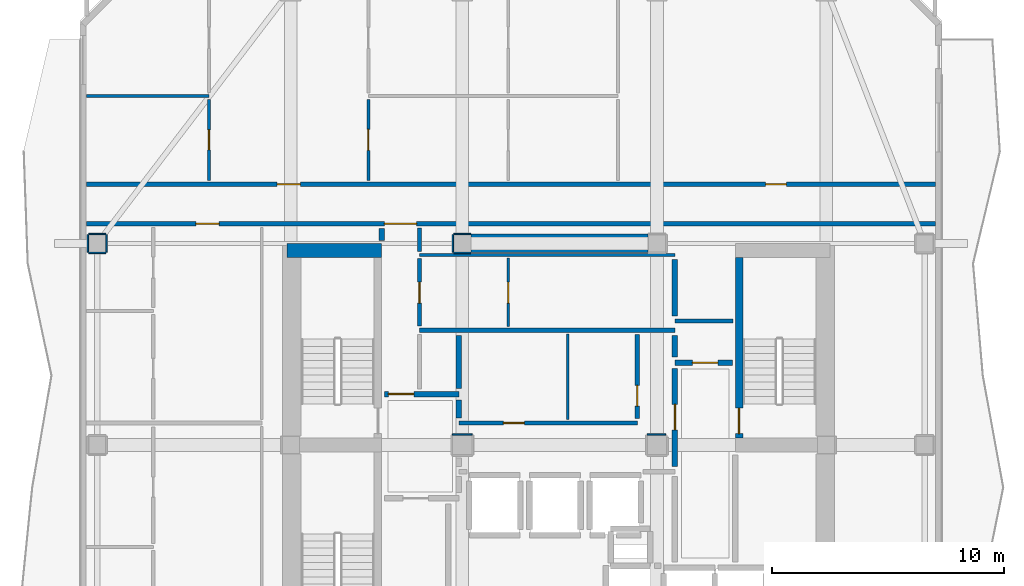
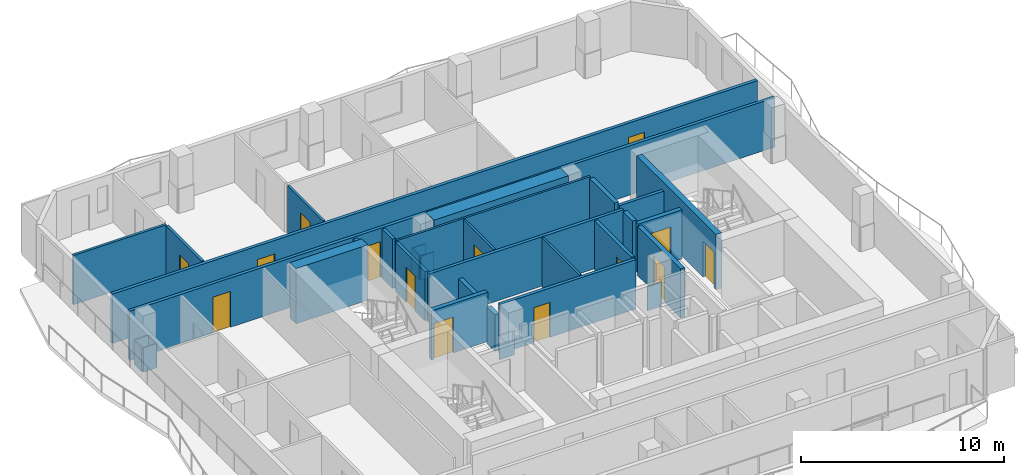
# One storey, part 4 of 10: 34 walls, 14 doors, 14 openings.
"""IFC4 building model written with IfcOpenShell, lengths in metres."""

from ifc_helpers import new_model, si_unit, direction, frame, frame_2d, origin, place, context, subcontext, project, spatial, rectangle, extrude, material, layer, layer_set, type_object, element, fill, save


model = new_model("IFC4")

# Units and contexts
model_context = context("Model", 3, precision=1e-05, world=origin(), true_north=direction((0.0, 1.0)))
body_context = subcontext(model_context, "Body", "Model", "MODEL_VIEW")
ifc_project = project(units=[si_unit("LENGTHUNIT", "METRE"), si_unit("AREAUNIT", "SQUARE_METRE"), si_unit("VOLUMEUNIT", "CUBIC_METRE"), si_unit("PLANEANGLEUNIT", "RADIAN"), si_unit("MASSUNIT", "GRAM", prefix="KILO")], contexts=[model_context])

# Site, building, storey
site_placement = place(None, origin())
site = spatial("IfcSite", under=ifc_project, at=site_placement, CompositionType="ELEMENT")
building_placement = place(site_placement, origin())
building = spatial("IfcBuilding", under=site, at=building_placement, Name="Solanera Arch Residences", CompositionType="ELEMENT")
storey_placement = place(building_placement, frame((0.0, 0.0, 254.52001953125)))
storey = spatial("IfcBuildingStorey", under=building, at=storey_placement, Name="L74", CompositionType="ELEMENT", Elevation=254.52001953125)

# Walls
ifc_material_1 = material(Name="Fire-Rated Gypsum Stud Partition", Category="gypsum")
ifc_layer_1 = layer(ifc_material_1, 0.06005859375)
ifc_layer_set_1 = layer_set([ifc_layer_1], Name="Fire-Rated Gypsum Stud Partition")
wall_type_1 = type_object("IfcWallType", Name="Column Acoustic Furring Wall 60", PredefinedType="PARTITIONING", material=ifc_layer_set_1)
for number, where, z_axis, x_axis, name in (
    (1, (20.425048828125, 38.992919921875, 0.0), (0.0, 0.0, 1.0), (1.0, 0.0, 0.0), "L74 Column Furring 3S"),
    (2, (20.425048828125, 39.806884765625, 0.0), (0.0, 0.0, 1.0), (1.0, 0.0, 0.0), "L74 Column Furring 3N"),
):
    element("IfcWall", number, at=place(storey_placement, frame(where, z_axis=z_axis, x_axis=x_axis)), inside=storey, type_object=wall_type_1, Name=name, PredefinedType="PARTITIONING", context=body_context, shape_type="SweptSolid", body=[
        extrude(rectangle(XDim=0.741943359375, YDim=0.06005859375, at=frame_2d((0.37109375, 0.0))), origin(), (0.0, 0.0, 1.0), 1.449951171875),
    ])
wall_1_placement = place(storey_placement, frame((20.39306640625, 39.02490234375, 0.0), z_axis=(0.0, 0.0, 1.0), x_axis=(0.0, 1.0, 0.0)))
element("IfcWall", 3, at=wall_1_placement, inside=storey, type_object=wall_type_1, Name="L74 Column Furring 3W", PredefinedType="PARTITIONING", context=body_context, shape_type="SweptSolid", body=[
    extrude(rectangle(XDim=0.75, YDim=0.06005859375, at=frame_2d((0.375, 0.0))), origin(), (0.0, 0.0, 1.0), 1.449951171875),
])
wall_2_placement = place(storey_placement, frame((20.375, 31.156982421875, 0.0), z_axis=(0.0, 0.0, 1.0), x_axis=(1.0, 0.0, 0.0)))
element("IfcWall", 4, at=wall_2_placement, inside=storey, type_object=wall_type_1, Name="L74 Column Furring 7N", PredefinedType="PARTITIONING", context=body_context, shape_type="SweptSolid", body=[
    extrude(rectangle(XDim=0.85009765625, YDim=0.06005859375, at=frame_2d((0.425048828125, 0.0))), origin(), (0.0, 0.0, 1.0), 1.449951171875),
])
wall_3_placement = place(storey_placement, frame((28.77490234375, 31.156982421875, 0.0), z_axis=(0.0, 0.0, 1.0), x_axis=(1.0, 0.0, 0.0)))
element("IfcWall", 5, at=wall_3_placement, inside=storey, type_object=wall_type_1, Name="L74 Column Furring 8N", PredefinedType="PARTITIONING", context=body_context, shape_type="SweptSolid", body=[
    extrude(rectangle(XDim=0.794189453125, YDim=0.06005859375, at=frame_2d((0.39697265625, 0.0))), origin(), (0.0, 0.0, 1.0), 1.449951171875),
])
for number, where, z_axis, x_axis, name in (
    (6, (4.675048828125, 38.992919921875, 0.0), (0.0, 0.0, 1.0), (1.0, 0.0, 0.0), "L74 Column Furring 21S"),
    (7, (4.675048828125, 39.806884765625, 0.0), (0.0, 0.0, 1.0), (1.0, 0.0, 0.0), "L74 Column Furring 21N"),
    (8, (4.64306640625, 39.02490234375, 0.0), (0.0, 0.0, 1.0), (0.0, 1.0, 0.0), "L74 Column Furring 21W"),
    (9, (5.45703125, 39.02490234375, 0.0), (0.0, 0.0, 1.0), (0.0, 1.0, 0.0), "L74 Column Furring 21E"),
):
    element("IfcWall", number, at=place(storey_placement, frame(where, z_axis=z_axis, x_axis=x_axis)), inside=storey, type_object=wall_type_1, Name=name, PredefinedType="PARTITIONING", context=body_context, shape_type="SweptSolid", body=[
        extrude(rectangle(XDim=0.75, YDim=0.06005859375, at=frame_2d((0.375, 0.0))), origin(), (0.0, 0.0, 1.0), 1.449951171875),
    ])

# Wall, opening, door
ifc_material_2 = material(Name="Concrete C40/50 (f'c = 45 MPa)", Category="concrete")
ifc_layer_2 = layer(ifc_material_2, 0.320068359375)
ifc_layer_set_2 = layer_set([ifc_layer_2], Name="Concrete C40/50 (f'c = 45 MPa)")
wall_type_2 = type_object("IfcWallType", Name="Core Shear Wall CW-320", PredefinedType="SHEAR", material=ifc_layer_set_2)
wall_4_placement = place(storey_placement, frame((32.739990234375, 31.0, 0.0), z_axis=(0.0, 0.0, 1.0), x_axis=(0.0, 1.0, 0.0)))
wall_4 = element("IfcWall", 10, at=wall_4_placement, inside=storey, type_object=wall_type_2, Name="L74 Stair ST-T2 West Shear Wall", PredefinedType="SHEAR", context=body_context, shape_type="SweptSolid", body=[
    extrude(rectangle(XDim=7.800048828125, YDim=0.320068359375, at=frame_2d((3.89990234375, 0.0))), origin(), (0.0, 0.0, 1.0), 3.320068359375),
])
opening_1_placement = place(wall_4_placement, frame((0.18994140625, 0.0, 0.0)))
opening_1 = element("IfcOpeningElement", 11, at=opening_1_placement, cuts=wall_4, Name="Opening DF-01", PredefinedType="OPENING", context=body_context, shape_type="SweptSolid", body=[
    extrude(rectangle(XDim=1.10009765625, YDim=2.14990234375, at=frame_2d((0.550048828125, 1.074951171875))), frame((0.0, 0.169921875, 0.0), z_axis=(0.0, -1.0, 0.0), x_axis=(1.0, 0.0, 0.0)), (0.0, 0.0, 1.0), 0.3401),
])
ifc_material_3 = material(Name="Fire-Rated Architectural Hardwood", Category="wood")
door_type_1 = type_object("IfcDoorType", Name="Stair Exit Fire Door DF-01", OperationType="NOTDEFINED", PredefinedType="DOOR", material=ifc_material_3)
door_1_placement = place(opening_1_placement, origin())
door_1 = element("IfcDoor", 12, at=door_1_placement, inside=storey, type_object=door_type_1, Name="DR-L74-STAIR-ST-T2", OperationType="SINGLE_SWING_LEFT", OverallHeight=2.14990234375, OverallWidth=1.10009765625, PredefinedType="DOOR", context=body_context, shape_type="SweptSolid", body=[
    extrude(rectangle(XDim=1.10009765625, YDim=2.14990234375, at=frame_2d((0.550048828125, 1.074951171875))), frame((0.0, 0.02490234375, 0.0), z_axis=(0.0, -1.0, 0.0), x_axis=(1.0, 0.0, 0.0)), (0.0, 0.0, 1.0), 0.050048828125),
])
fill(opening_1, door_1)

# Walls
ifc_material_4 = material(Name="Concrete C40/50 (f'c = 45 MPa)", Category="concrete")
ifc_layer_3 = layer(ifc_material_4, 0.60009765625)
ifc_layer_set_3 = layer_set([ifc_layer_3], Name="Concrete C40/50 (f'c = 45 MPa)")
wall_type_3 = type_object("IfcWallType", Name="Core Shear Wall CW-600", PredefinedType="SHEAR", material=ifc_layer_set_3)
wall_5_placement = place(storey_placement, frame((13.239990234375, 39.10009765625, 0.0), z_axis=(0.0, 0.0, 1.0), x_axis=(1.0, 0.0, 0.0)))
element("IfcWall", 13, at=wall_5_placement, inside=storey, type_object=wall_type_3, Name="L74 North-West Core Shear Wall", PredefinedType="SHEAR", context=body_context, shape_type="SweptSolid", body=[
    extrude(rectangle(XDim=4.080078125, YDim=0.60009765625, at=frame_2d((2.0400390625, 0.0))), origin(), (0.0, 0.0, 1.0), 3.320068359375),
])
ifc_material_5 = material(Name="Concrete C40/50 (f'c = 45 MPa)", Category="concrete")
ifc_layer_4 = layer(ifc_material_5, 0.800048828125)
ifc_layer_set_4 = layer_set([ifc_layer_4], Name="Concrete C40/50 (f'c = 45 MPa)")
wall_type_4 = type_object("IfcWallType", Name="Core Shear Wall CW-800", PredefinedType="SHEAR", material=ifc_layer_set_4)
wall_6_placement = place(storey_placement, frame((21.179931640625, 39.39990234375, 0.0), z_axis=(0.0, 0.0, 1.0), x_axis=(1.0, 0.0, 0.0)))
element("IfcWall", 14, at=wall_6_placement, inside=storey, type_object=wall_type_4, Name="L74 Central North Core Shear Wall", PredefinedType="SHEAR", context=body_context, shape_type="SweptSolid", body=[
    extrude(rectangle(XDim=7.64013671875, YDim=0.800048828125, at=frame_2d((3.820068359375, 0.0))), origin(), (0.0, 0.0, 1.0), 3.320068359375),
])

# Wall, opening, door
ifc_material_6 = material(Name="Autoclaved Aerated Concrete Blockwork", Category="masonry")
ifc_layer_5 = layer(ifc_material_6, 0.179931640625)
ifc_layer_set_5 = layer_set([ifc_layer_5], Name="Autoclaved Aerated Concrete Blockwork")
wall_type_5 = type_object("IfcWallType", Name="Corridor Fire Partition 180", PredefinedType="PARTITIONING", material=ifc_layer_set_5)
wall_7_placement = place(storey_placement, frame((20.64990234375, 31.64990234375, 0.0), z_axis=(0.0, 0.0, 1.0), x_axis=(1.0, 0.0, 0.0)))
wall_7 = element("IfcWall", 15, at=wall_7_placement, inside=storey, type_object=wall_type_5, Name="L74 Interior Partition H9", PredefinedType="PARTITIONING", context=body_context, shape_type="SweptSolid", body=[
    extrude(rectangle(XDim=7.7001953125, YDim=0.179931640625, at=frame_2d((3.85009765625, 0.0))), origin(), (0.0, 0.0, 1.0), 2.9599609375),
])
opening_2_placement = place(wall_7_placement, frame((1.924072265625, 0.0, 0.0)))
opening_2 = element("IfcOpeningElement", 16, at=opening_2_placement, cuts=wall_7, Name="Opening DI-02", PredefinedType="OPENING", context=body_context, shape_type="SweptSolid", body=[
    extrude(rectangle(XDim=0.89990234375, YDim=2.10009765625, at=frame_2d((0.449951171875, 1.050048828125))), frame((0.0, 0.10009765625, 0.0), z_axis=(0.0, -1.0, 0.0), x_axis=(1.0, 0.0, 0.0)), (0.0, 0.0, 1.0), 0.1999),
])
ifc_material_7 = material(Name="Fire-Rated Architectural Hardwood", Category="wood")
door_type_2 = type_object("IfcDoorType", Name="Suite Room Swing Door DI-02", OperationType="NOTDEFINED", PredefinedType="DOOR", material=ifc_material_7)
door_2_placement = place(opening_2_placement, origin())
door_2 = element("IfcDoor", 17, at=door_2_placement, inside=storey, type_object=door_type_2, Name="DR-L74-IN-012", OperationType="SINGLE_SWING_LEFT", OverallHeight=2.10009765625, OverallWidth=0.89990234375, PredefinedType="DOOR", context=body_context, shape_type="SweptSolid", body=[
    extrude(rectangle(XDim=0.89990234375, YDim=2.10009765625, at=frame_2d((0.449951171875, 1.050048828125))), frame((0.0, 0.02490234375, 0.0), z_axis=(0.0, -1.0, 0.0), x_axis=(1.0, 0.0, 0.0)), (0.0, 0.0, 1.0), 0.050048828125),
])
fill(opening_2, door_2)

# Walls
wall_8_placement = place(storey_placement, frame((18.949951171875, 35.64990234375, 0.0), z_axis=(0.0, 0.0, 1.0), x_axis=(1.0, 0.0, 0.0)))
element("IfcWall", 18, at=wall_8_placement, inside=storey, type_object=wall_type_5, Name="L74 Interior Partition H10", PredefinedType="PARTITIONING", context=body_context, shape_type="SweptSolid", body=[
    extrude(rectangle(XDim=11.025146484375, YDim=0.179931640625, at=frame_2d((5.5126953125, 0.0))), origin(), (0.0, 0.0, 1.0), 2.9599609375),
])
wall_9_placement = place(storey_placement, frame((29.97509765625, 36.050048828125, 0.0), z_axis=(0.0, 0.0, 1.0), x_axis=(1.0, 0.0, 0.0)))
element("IfcWall", 19, at=wall_9_placement, inside=storey, type_object=wall_type_5, Name="L74 Interior Partition H11", PredefinedType="PARTITIONING", context=body_context, shape_type="SweptSolid", body=[
    extrude(rectangle(XDim=2.5048828125, YDim=0.179931640625, at=frame_2d((1.25244140625, 0.0))), origin(), (0.0, 0.0, 1.0), 2.9599609375),
])

# Wall, openings, doors
wall_10_placement = place(storey_placement, frame((4.5869140625, 40.25, 0.0), z_axis=(0.0, 0.0, 1.0), x_axis=(1.0, 0.0, 0.0)))
wall_10 = element("IfcWall", 20, at=wall_10_placement, inside=storey, type_object=wall_type_5, Name="L74 Interior Partition H12", PredefinedType="PARTITIONING", context=body_context, shape_type="SweptSolid", body=[
    extrude(rectangle(XDim=36.6259765625, YDim=0.179931640625, at=frame_2d((18.31298828125, 0.0))), origin(), (0.0, 0.0, 1.0), 2.9599609375),
])
opening_3_placement = place(wall_10_placement, frame((12.847900390625, 0.0, 0.0)))
opening_3 = element("IfcOpeningElement", 21, at=opening_3_placement, cuts=wall_10, Name="Opening DF-03", PredefinedType="OPENING", context=body_context, shape_type="SweptSolid", body=[
    extrude(rectangle(XDim=1.39990234375, YDim=2.14990234375, at=frame_2d((0.699951171875, 1.074951171875))), frame((0.0, 0.10009765625, 0.0), z_axis=(0.0, -1.0, 0.0), x_axis=(1.0, 0.0, 0.0)), (0.0, 0.0, 1.0), 0.1999),
])
opening_4_placement = place(wall_10_placement, frame((4.722900390625, 0.0, 0.0)))
opening_4 = element("IfcOpeningElement", 22, at=opening_4_placement, cuts=wall_10, Name="Opening DI-01", PredefinedType="OPENING", context=body_context, shape_type="SweptSolid", body=[
    extrude(rectangle(XDim=1.0, YDim=2.14990234375, at=frame_2d((0.5, 1.074951171875))), frame((0.0, 0.10009765625, 0.0), z_axis=(0.0, -1.0, 0.0), x_axis=(1.0, 0.0, 0.0)), (0.0, 0.0, 1.0), 0.1999),
])
ifc_material_8 = material(Name="Fire-Rated Architectural Hardwood", Category="wood")
door_type_3 = type_object("IfcDoorType", Name="Corridor Smoke Door DF-03", OperationType="NOTDEFINED", PredefinedType="DOOR", material=ifc_material_8)
door_3_placement = place(opening_3_placement, origin())
door_3 = element("IfcDoor", 23, at=door_3_placement, inside=storey, type_object=door_type_3, Name="DR-L74-IN-009", OperationType="SINGLE_SWING_RIGHT", OverallHeight=2.14990234375, OverallWidth=1.39990234375, PredefinedType="DOOR", context=body_context, shape_type="SweptSolid", body=[
    extrude(rectangle(XDim=1.39990234375, YDim=2.14990234375, at=frame_2d((0.699951171875, 1.074951171875))), frame((0.0, 0.02490234375, 0.0), z_axis=(0.0, -1.0, 0.0), x_axis=(1.0, 0.0, 0.0)), (0.0, 0.0, 1.0), 0.050048828125),
])
fill(opening_3, door_3)
ifc_material_9 = material(Name="Fire-Rated Architectural Hardwood", Category="wood")
door_type_4 = type_object("IfcDoorType", Name="Unit Entrance Fire Door DI-01", OperationType="NOTDEFINED", PredefinedType="DOOR", material=ifc_material_9)
door_4_placement = place(opening_4_placement, origin())
door_4 = element("IfcDoor", 24, at=door_4_placement, inside=storey, type_object=door_type_4, Name="DR-L74-IN-031", OperationType="SINGLE_SWING_RIGHT", OverallHeight=2.14990234375, OverallWidth=1.0, PredefinedType="DOOR", context=body_context, shape_type="SweptSolid", body=[
    extrude(rectangle(XDim=1.0, YDim=2.14990234375, at=frame_2d((0.5, 1.074951171875))), frame((0.0, 0.02490234375, 0.0), z_axis=(0.0, -1.0, 0.0), x_axis=(1.0, 0.0, 0.0)), (0.0, 0.0, 1.0), 0.050048828125),
])
fill(opening_4, door_4)

wall_11_placement = place(storey_placement, frame((4.5869140625, 41.949951171875, 0.0), z_axis=(0.0, 0.0, 1.0), x_axis=(1.0, 0.0, 0.0)))
wall_11 = element("IfcWall", 25, at=wall_11_placement, inside=storey, type_object=wall_type_5, Name="L74 Interior Partition H13", PredefinedType="PARTITIONING", context=body_context, shape_type="SweptSolid", body=[
    extrude(rectangle(XDim=36.6259765625, YDim=0.179931640625, at=frame_2d((18.31298828125, 0.0))), origin(), (0.0, 0.0, 1.0), 2.9599609375),
])
opening_5_placement = place(wall_11_placement, frame((8.222900390625, 0.0, 0.0)))
opening_5 = element("IfcOpeningElement", 26, at=opening_5_placement, cuts=wall_11, Name="Opening DI-01", PredefinedType="OPENING", context=body_context, shape_type="SweptSolid", body=[
    extrude(rectangle(XDim=1.0, YDim=2.14990234375, at=frame_2d((0.5, 1.074951171875))), frame((0.0, 0.10009765625, 0.0), z_axis=(0.0, -1.0, 0.0), x_axis=(1.0, 0.0, 0.0)), (0.0, 0.0, 1.0), 0.1999),
])
opening_6_placement = place(wall_11_placement, frame((29.299072265625, 0.0, 0.0)))
opening_6 = element("IfcOpeningElement", 27, at=opening_6_placement, cuts=wall_11, Name="Opening DI-02", PredefinedType="OPENING", context=body_context, shape_type="SweptSolid", body=[
    extrude(rectangle(XDim=0.89990234375, YDim=2.10009765625, at=frame_2d((0.449951171875, 1.050048828125))), frame((0.0, 0.10009765625, 0.0), z_axis=(0.0, -1.0, 0.0), x_axis=(1.0, 0.0, 0.0)), (0.0, 0.0, 1.0), 0.1999),
])
door_5_placement = place(opening_6_placement, origin())
door_5 = element("IfcDoor", 28, at=door_5_placement, inside=storey, type_object=door_type_2, Name="DR-L74-IN-027", OperationType="SINGLE_SWING_RIGHT", OverallHeight=2.10009765625, OverallWidth=0.89990234375, PredefinedType="DOOR", context=body_context, shape_type="SweptSolid", body=[
    extrude(rectangle(XDim=0.89990234375, YDim=2.10009765625, at=frame_2d((0.449951171875, 1.050048828125))), frame((0.0, 0.02490234375, 0.0), z_axis=(0.0, -1.0, 0.0), x_axis=(1.0, 0.0, 0.0)), (0.0, 0.0, 1.0), 0.050048828125),
])
fill(opening_6, door_5)
door_6_placement = place(opening_5_placement, origin())
door_6 = element("IfcDoor", 29, at=door_6_placement, inside=storey, type_object=door_type_4, Name="DR-L74-IN-020", OperationType="SINGLE_SWING_LEFT", OverallHeight=2.14990234375, OverallWidth=1.0, PredefinedType="DOOR", context=body_context, shape_type="SweptSolid", body=[
    extrude(rectangle(XDim=1.0, YDim=2.14990234375, at=frame_2d((0.5, 1.074951171875))), frame((0.0, 0.02490234375, 0.0), z_axis=(0.0, -1.0, 0.0), x_axis=(1.0, 0.0, 0.0)), (0.0, 0.0, 1.0), 0.050048828125),
])
fill(opening_5, door_6)

# Wall, opening, door
wall_12_placement = place(storey_placement, frame((18.949951171875, 35.837890625, 0.0), z_axis=(0.0, 0.0, 1.0), x_axis=(0.0, 1.0, 0.0)))
wall_12 = element("IfcWall", 30, at=wall_12_placement, inside=storey, type_object=wall_type_5, Name="L74 Interior Partition V7 2", PredefinedType="PARTITIONING", context=body_context, shape_type="SweptSolid", body=[
    extrude(rectangle(XDim=2.904052734375, YDim=0.179931640625, at=frame_2d((1.4521484375, 0.0))), origin(), (0.0, 0.0, 1.0), 2.9599609375),
])
opening_7_placement = place(wall_12_placement, frame((0.987060546875, 0.0, 0.0)))
opening_7 = element("IfcOpeningElement", 31, at=opening_7_placement, cuts=wall_12, Name="Opening DI-02", PredefinedType="OPENING", context=body_context, shape_type="SweptSolid", body=[
    extrude(rectangle(XDim=0.89990234375, YDim=2.10009765625, at=frame_2d((0.449951171875, 1.050048828125))), frame((0.0, 0.10009765625, 0.0), z_axis=(0.0, -1.0, 0.0), x_axis=(1.0, 0.0, 0.0)), (0.0, 0.0, 1.0), 0.1999),
])
door_7_placement = place(opening_7_placement, origin())
door_7 = element("IfcDoor", 32, at=door_7_placement, inside=storey, type_object=door_type_2, Name="DR-L74-IN-010", OperationType="SINGLE_SWING_LEFT", OverallHeight=2.10009765625, OverallWidth=0.89990234375, PredefinedType="DOOR", context=body_context, shape_type="SweptSolid", body=[
    extrude(rectangle(XDim=0.89990234375, YDim=2.10009765625, at=frame_2d((0.449951171875, 1.050048828125))), frame((0.0, 0.02490234375, 0.0), z_axis=(0.0, -1.0, 0.0), x_axis=(1.0, 0.0, 0.0)), (0.0, 0.0, 1.0), 0.050048828125),
])
fill(opening_7, door_7)

# Wall
wall_13_placement = place(storey_placement, frame((18.949951171875, 39.05810546875, 0.0), z_axis=(0.0, 0.0, 1.0), x_axis=(0.0, 1.0, 0.0)))
element("IfcWall", 33, at=wall_13_placement, inside=storey, type_object=wall_type_5, Name="L74 Interior Partition V7 3", PredefinedType="PARTITIONING", context=body_context, shape_type="SweptSolid", body=[
    extrude(rectangle(XDim=1.00390625, YDim=0.179931640625, at=frame_2d((0.501953125, 0.0))), origin(), (0.0, 0.0, 1.0), 2.9599609375),
])

# Wall, opening, door
wall_14_placement = place(storey_placement, frame((28.35009765625, 31.837890625, 0.0), z_axis=(0.0, 0.0, 1.0), x_axis=(0.0, 1.0, 0.0)))
wall_14 = element("IfcWall", 34, at=wall_14_placement, inside=storey, type_object=wall_type_5, Name="L74 Interior Partition V8", PredefinedType="PARTITIONING", context=body_context, shape_type="SweptSolid", body=[
    extrude(rectangle(XDim=3.6240234375, YDim=0.179931640625, at=frame_2d((1.81201171875, 0.0))), origin(), (0.0, 0.0, 1.0), 2.9599609375),
])
opening_8_placement = place(wall_14_placement, frame((0.541015625, 0.0, 0.0)))
opening_8 = element("IfcOpeningElement", 35, at=opening_8_placement, cuts=wall_14, Name="Opening DI-02", PredefinedType="OPENING", context=body_context, shape_type="SweptSolid", body=[
    extrude(rectangle(XDim=0.89990234375, YDim=2.10009765625, at=frame_2d((0.449951171875, 1.050048828125))), frame((0.0, 0.10009765625, 0.0), z_axis=(0.0, -1.0, 0.0), x_axis=(1.0, 0.0, 0.0)), (0.0, 0.0, 1.0), 0.1999),
])
door_8_placement = place(opening_8_placement, origin())
door_8 = element("IfcDoor", 36, at=door_8_placement, inside=storey, type_object=door_type_2, Name="DR-L74-IN-013", OperationType="SINGLE_SWING_RIGHT", OverallHeight=2.10009765625, OverallWidth=0.89990234375, PredefinedType="DOOR", context=body_context, shape_type="SweptSolid", body=[
    extrude(rectangle(XDim=0.89990234375, YDim=2.10009765625, at=frame_2d((0.449951171875, 1.050048828125))), frame((0.0, 0.02490234375, 0.0), z_axis=(0.0, -1.0, 0.0), x_axis=(1.0, 0.0, 0.0)), (0.0, 0.0, 1.0), 0.050048828125),
])
fill(opening_8, door_8)

ifc_material_10 = material(Name="Autoclaved Aerated Concrete Blockwork", Category="masonry")
ifc_layer_6 = layer(ifc_material_10, 0.239990234375)
ifc_layer_set_6 = layer_set([ifc_layer_6], Name="Autoclaved Aerated Concrete Blockwork")
wall_type_6 = type_object("IfcWallType", Name="Shaft Wall Fire-Rated 240", PredefinedType="PARTITIONING", material=ifc_layer_set_6)
wall_15_placement = place(storey_placement, frame((17.449951171875, 32.89990234375, 0.0), z_axis=(0.0, 0.0, 1.0), x_axis=(1.0, 0.0, 0.0)))
wall_15 = element("IfcWall", 37, at=wall_15_placement, inside=storey, type_object=wall_type_6, Name="L74 Interior Partition H4", PredefinedType="PARTITIONING", context=body_context, shape_type="SweptSolid", body=[
    extrude(rectangle(XDim=3.199951171875, YDim=0.239990234375, at=frame_2d((1.60009765625, 0.0))), origin(), (0.0, 0.0, 1.0), 2.9599609375),
])
opening_9_placement = place(wall_15_placement, frame((0.158935546875, 0.0, 0.0)))
opening_9 = element("IfcOpeningElement", 38, at=opening_9_placement, cuts=wall_15, Name="Opening DF-02", PredefinedType="OPENING", context=body_context, shape_type="SweptSolid", body=[
    extrude(rectangle(XDim=1.10009765625, YDim=2.14990234375, at=frame_2d((0.550048828125, 1.074951171875))), frame((0.0, 0.1298828125, 0.0), z_axis=(0.0, -1.0, 0.0), x_axis=(1.0, 0.0, 0.0)), (0.0, 0.0, 1.0), 0.26),
])
ifc_material_11 = material(Name="Fire-Rated Architectural Hardwood", Category="wood")
door_type_5 = type_object("IfcDoorType", Name="Firefighting Lobby Fire Door DF-02", OperationType="NOTDEFINED", PredefinedType="DOOR", material=ifc_material_11)
door_9_placement = place(opening_9_placement, origin())
door_9 = element("IfcDoor", 39, at=door_9_placement, inside=storey, type_object=door_type_5, Name="DR-L74-IN-005", OperationType="SINGLE_SWING_RIGHT", OverallHeight=2.14990234375, OverallWidth=1.10009765625, PredefinedType="DOOR", context=body_context, shape_type="SweptSolid", body=[
    extrude(rectangle(XDim=1.10009765625, YDim=2.14990234375, at=frame_2d((0.550048828125, 1.074951171875))), frame((0.0, 0.02490234375, 0.0), z_axis=(0.0, -1.0, 0.0), x_axis=(1.0, 0.0, 0.0)), (0.0, 0.0, 1.0), 0.050048828125),
])
fill(opening_9, door_9)

wall_16_placement = place(storey_placement, frame((29.97509765625, 34.25, 0.0), z_axis=(0.0, 0.0, 1.0), x_axis=(1.0, 0.0, 0.0)))
wall_16 = element("IfcWall", 40, at=wall_16_placement, inside=storey, type_object=wall_type_6, Name="L74 Interior Partition H5", PredefinedType="PARTITIONING", context=body_context, shape_type="SweptSolid", body=[
    extrude(rectangle(XDim=2.474853515625, YDim=0.239990234375, at=frame_2d((1.2373046875, 0.0))), origin(), (0.0, 0.0, 1.0), 2.9599609375),
])
opening_10_placement = place(wall_16_placement, frame((0.751953125, 0.0, 0.0)))
opening_10 = element("IfcOpeningElement", 41, at=opening_10_placement, cuts=wall_16, Name="Opening DF-02", PredefinedType="OPENING", context=body_context, shape_type="SweptSolid", body=[
    extrude(rectangle(XDim=1.10009765625, YDim=2.14990234375, at=frame_2d((0.550048828125, 1.074951171875))), frame((0.0, 0.1298828125, 0.0), z_axis=(0.0, -1.0, 0.0), x_axis=(1.0, 0.0, 0.0)), (0.0, 0.0, 1.0), 0.26),
])
door_10_placement = place(opening_10_placement, origin())
door_10 = element("IfcDoor", 42, at=door_10_placement, inside=storey, type_object=door_type_5, Name="DR-L74-IN-007", OperationType="SINGLE_SWING_RIGHT", OverallHeight=2.14990234375, OverallWidth=1.10009765625, PredefinedType="DOOR", context=body_context, shape_type="SweptSolid", body=[
    extrude(rectangle(XDim=1.10009765625, YDim=2.14990234375, at=frame_2d((0.550048828125, 1.074951171875))), frame((0.0, 0.02490234375, 0.0), z_axis=(0.0, -1.0, 0.0), x_axis=(1.0, 0.0, 0.0)), (0.0, 0.0, 1.0), 0.050048828125),
])
fill(opening_10, door_10)

# Walls
wall_17_placement = place(storey_placement, frame((17.320068359375, 39.530029296875, 0.0), z_axis=(0.0, 0.0, 1.0), x_axis=(0.0, 1.0, 0.0)))
element("IfcWall", 43, at=wall_17_placement, inside=storey, type_object=wall_type_6, Name="L74 Interior Partition V1", PredefinedType="PARTITIONING", context=body_context, shape_type="SweptSolid", body=[
    extrude(rectangle(XDim=0.501953125, YDim=0.239990234375, at=frame_2d((0.2509765625, 0.0))), origin(), (0.0, 0.0, 1.0), 2.9599609375),
])
wall_18_placement = place(storey_placement, frame((20.64990234375, 31.867919921875, 0.0), z_axis=(0.0, 0.0, 1.0), x_axis=(0.0, 1.0, 0.0)))
element("IfcWall", 44, at=wall_18_placement, inside=storey, type_object=wall_type_6, Name="L74 Interior Partition V3 3", PredefinedType="PARTITIONING", context=body_context, shape_type="SweptSolid", body=[
    extrude(rectangle(XDim=0.7841796875, YDim=0.239990234375, at=frame_2d((0.39208984375, 0.0))), origin(), (0.0, 0.0, 1.0), 2.195068359375),
])
wall_19_placement = place(storey_placement, frame((20.64990234375, 33.14794921875, 0.0), z_axis=(0.0, 0.0, 1.0), x_axis=(0.0, 1.0, 0.0)))
element("IfcWall", 45, at=wall_19_placement, inside=storey, type_object=wall_type_6, Name="L74 Interior Partition V3 4", PredefinedType="PARTITIONING", context=body_context, shape_type="SweptSolid", body=[
    extrude(rectangle(XDim=2.283935546875, YDim=0.239990234375, at=frame_2d((1.14208984375, 0.0))), origin(), (0.0, 0.0, 1.0), 2.195068359375),
])

# Wall, opening, door
wall_20_placement = place(storey_placement, frame((29.97509765625, 29.76806640625, 0.0), z_axis=(0.0, 0.0, 1.0), x_axis=(0.0, 1.0, 0.0)))
wall_20 = element("IfcWall", 46, at=wall_20_placement, inside=storey, type_object=wall_type_6, Name="L74 Interior Partition V4 2", PredefinedType="PARTITIONING", context=body_context, shape_type="SweptSolid", body=[
    extrude(rectangle(XDim=4.23388671875, YDim=0.239990234375, at=frame_2d((2.116943359375, 0.0))), origin(), (0.0, 0.0, 1.0), 2.9599609375),
])
opening_11_placement = place(wall_20_placement, frame((1.58203125, 0.0, 0.0)))
opening_11 = element("IfcOpeningElement", 47, at=opening_11_placement, cuts=wall_20, Name="Opening DF-02", PredefinedType="OPENING", context=body_context, shape_type="SweptSolid", body=[
    extrude(rectangle(XDim=1.10009765625, YDim=2.14990234375, at=frame_2d((0.550048828125, 1.074951171875))), frame((0.0, 0.1298828125, 0.0), z_axis=(0.0, -1.0, 0.0), x_axis=(1.0, 0.0, 0.0)), (0.0, 0.0, 1.0), 0.26),
])
door_11_placement = place(opening_11_placement, origin())
door_11 = element("IfcDoor", 48, at=door_11_placement, inside=storey, type_object=door_type_5, Name="DR-L74-IN-006", OperationType="SINGLE_SWING_LEFT", OverallHeight=2.14990234375, OverallWidth=1.10009765625, PredefinedType="DOOR", context=body_context, shape_type="SweptSolid", body=[
    extrude(rectangle(XDim=1.10009765625, YDim=2.14990234375, at=frame_2d((0.550048828125, 1.074951171875))), frame((0.0, 0.02490234375, 0.0), z_axis=(0.0, -1.0, 0.0), x_axis=(1.0, 0.0, 0.0)), (0.0, 0.0, 1.0), 0.050048828125),
])
fill(opening_11, door_11)

# Walls
wall_21_placement = place(storey_placement, frame((29.97509765625, 34.498046875, 0.0), z_axis=(0.0, 0.0, 1.0), x_axis=(0.0, 1.0, 0.0)))
element("IfcWall", 49, at=wall_21_placement, inside=storey, type_object=wall_type_6, Name="L74 Interior Partition V4 3", PredefinedType="PARTITIONING", context=body_context, shape_type="SweptSolid", body=[
    extrude(rectangle(XDim=0.933837890625, YDim=0.239990234375, at=frame_2d((0.466796875, 0.0))), origin(), (0.0, 0.0, 1.0), 2.9599609375),
])
wall_22_placement = place(storey_placement, frame((29.97509765625, 36.26806640625, 0.0), z_axis=(0.0, 0.0, 1.0), x_axis=(0.0, 1.0, 0.0)))
element("IfcWall", 50, at=wall_22_placement, inside=storey, type_object=wall_type_6, Name="L74 Interior Partition V4 4", PredefinedType="PARTITIONING", context=body_context, shape_type="SweptSolid", body=[
    extrude(rectangle(XDim=2.44384765625, YDim=0.239990234375, at=frame_2d((1.221923828125, 0.0))), origin(), (0.0, 0.0, 1.0), 2.9599609375),
])
ifc_material_12 = material(Name="Fire-Rated Gypsum Stud Partition", Category="gypsum")
ifc_layer_7 = layer(ifc_material_12, 0.1201171875)
ifc_layer_set_7 = layer_set([ifc_layer_7], Name="Fire-Rated Gypsum Stud Partition")
wall_type_7 = type_object("IfcWallType", Name="Unit Drywall Partition 120", PredefinedType="PARTITIONING", material=ifc_layer_set_7)
wall_23_placement = place(storey_placement, frame((18.949951171875, 38.89990234375, 0.0), z_axis=(0.0, 0.0, 1.0), x_axis=(1.0, 0.0, 0.0)))
element("IfcWall", 51, at=wall_23_placement, inside=storey, type_object=wall_type_7, Name="L74 Interior Partition H19", PredefinedType="PARTITIONING", context=body_context, shape_type="SweptSolid", body=[
    extrude(rectangle(XDim=11.025146484375, YDim=0.1201171875, at=frame_2d((5.5126953125, 0.0))), origin(), (0.0, 0.0, 1.0), 2.9599609375),
])

# Wall, opening, door
wall_24_placement = place(storey_placement, frame((16.748046875, 42.10791015625, 0.0), z_axis=(0.0, 0.0, 1.0), x_axis=(0.0, 1.0, 0.0)))
wall_24 = element("IfcWall", 52, at=wall_24_placement, inside=storey, type_object=wall_type_7, Name="L74 Interior Partition V17 1", PredefinedType="PARTITIONING", context=body_context, shape_type="SweptSolid", body=[
    extrude(rectangle(XDim=3.510009765625, YDim=0.1201171875, at=frame_2d((1.7548828125, 0.0))), origin(), (0.0, 0.0, 1.0), 2.9599609375),
])
opening_12_placement = place(wall_24_placement, frame((1.30810546875, 0.0, 0.0)))
opening_12 = element("IfcOpeningElement", 53, at=opening_12_placement, cuts=wall_24, Name="Opening DI-02", PredefinedType="OPENING", context=body_context, shape_type="SweptSolid", body=[
    extrude(rectangle(XDim=0.89990234375, YDim=2.10009765625, at=frame_2d((0.449951171875, 1.050048828125))), frame((0.0, 0.070068359375, 0.0), z_axis=(0.0, -1.0, 0.0), x_axis=(1.0, 0.0, 0.0)), (0.0, 0.0, 1.0), 0.1401),
])
door_12_placement = place(opening_12_placement, origin())
door_12 = element("IfcDoor", 54, at=door_12_placement, inside=storey, type_object=door_type_2, Name="DR-L74-IN-023", OperationType="SINGLE_SWING_RIGHT", OverallHeight=2.10009765625, OverallWidth=0.89990234375, PredefinedType="DOOR", context=body_context, shape_type="SweptSolid", body=[
    extrude(rectangle(XDim=0.89990234375, YDim=2.10009765625, at=frame_2d((0.449951171875, 1.050048828125))), frame((0.0, 0.02490234375, 0.0), z_axis=(0.0, -1.0, 0.0), x_axis=(1.0, 0.0, 0.0)), (0.0, 0.0, 1.0), 0.050048828125),
])
fill(opening_12, door_12)

wall_25_placement = place(storey_placement, frame((22.780029296875, 35.80810546875, 0.0), z_axis=(0.0, 0.0, 1.0), x_axis=(0.0, 1.0, 0.0)))
wall_25 = element("IfcWall", 55, at=wall_25_placement, inside=storey, type_object=wall_type_7, Name="L74 Interior Partition V19", PredefinedType="PARTITIONING", context=body_context, shape_type="SweptSolid", body=[
    extrude(rectangle(XDim=2.9638671875, YDim=0.1201171875, at=frame_2d((1.48193359375, 0.0))), origin(), (0.0, 0.0, 1.0), 2.9599609375),
])
opening_13_placement = place(wall_25_placement, frame((1.01708984375, 0.0, 0.0)))
opening_13 = element("IfcOpeningElement", 56, at=opening_13_placement, cuts=wall_25, Name="Opening DI-02", PredefinedType="OPENING", context=body_context, shape_type="SweptSolid", body=[
    extrude(rectangle(XDim=0.89990234375, YDim=2.10009765625, at=frame_2d((0.449951171875, 1.050048828125))), frame((0.0, 0.070068359375, 0.0), z_axis=(0.0, -1.0, 0.0), x_axis=(1.0, 0.0, 0.0)), (0.0, 0.0, 1.0), 0.1401),
])
door_13_placement = place(opening_13_placement, origin())
door_13 = element("IfcDoor", 57, at=door_13_placement, inside=storey, type_object=door_type_2, Name="DR-L74-IN-011", OperationType="SINGLE_SWING_RIGHT", OverallHeight=2.10009765625, OverallWidth=0.89990234375, PredefinedType="DOOR", context=body_context, shape_type="SweptSolid", body=[
    extrude(rectangle(XDim=0.89990234375, YDim=2.10009765625, at=frame_2d((0.449951171875, 1.050048828125))), frame((0.0, 0.02490234375, 0.0), z_axis=(0.0, -1.0, 0.0), x_axis=(1.0, 0.0, 0.0)), (0.0, 0.0, 1.0), 0.050048828125),
])
fill(opening_13, door_13)

# Walls
wall_26_placement = place(storey_placement, frame((25.35009765625, 31.80810546875, 0.0), z_axis=(0.0, 0.0, 1.0), x_axis=(0.0, 1.0, 0.0)))
element("IfcWall", 58, at=wall_26_placement, inside=storey, type_object=wall_type_7, Name="L74 Interior Partition V21", PredefinedType="PARTITIONING", context=body_context, shape_type="SweptSolid", body=[
    extrude(rectangle(XDim=3.683837890625, YDim=0.1201171875, at=frame_2d((1.841796875, 0.0))), origin(), (0.0, 0.0, 1.0), 2.9599609375),
])
ifc_material_13 = material(Name="Autoclaved Aerated Concrete Blockwork", Category="masonry")
ifc_layer_8 = layer(ifc_material_13, 0.139892578125)
ifc_layer_set_8 = layer_set([ifc_layer_8], Name="Autoclaved Aerated Concrete Blockwork")
wall_type_8 = type_object("IfcWallType", Name="Wet-Room Partition 140", PredefinedType="PARTITIONING", material=ifc_layer_set_8)
wall_27_placement = place(storey_placement, frame((4.5869140625, 45.756103515625, 0.0), z_axis=(0.0, 0.0, 1.0), x_axis=(1.0, 0.0, 0.0)))
element("IfcWall", 59, at=wall_27_placement, inside=storey, type_object=wall_type_8, Name="L74 Interior Partition H17", PredefinedType="PARTITIONING", context=body_context, shape_type="SweptSolid", body=[
    extrude(rectangle(XDim=5.28515625, YDim=0.139892578125, at=frame_2d((2.642578125, 0.0))), origin(), (0.0, 0.0, 1.0), 2.9599609375),
])

# Wall, opening, door
wall_28_placement = place(storey_placement, frame((9.8720703125, 42.117919921875, 0.0), z_axis=(0.0, 0.0, 1.0), x_axis=(0.0, 1.0, 0.0)))
wall_28 = element("IfcWall", 60, at=wall_28_placement, inside=storey, type_object=wall_type_8, Name="L74 Interior Partition V13 1", PredefinedType="PARTITIONING", context=body_context, shape_type="SweptSolid", body=[
    extrude(rectangle(XDim=3.489990234375, YDim=0.139892578125, at=frame_2d((1.7451171875, 0.0))), origin(), (0.0, 0.0, 1.0), 2.9599609375),
])
opening_14_placement = place(wall_28_placement, frame((1.318115234375, 0.0, 0.0)))
opening_14 = element("IfcOpeningElement", 61, at=opening_14_placement, cuts=wall_28, Name="Opening DI-05", PredefinedType="OPENING", context=body_context, shape_type="SweptSolid", body=[
    extrude(rectangle(XDim=0.860107421875, YDim=2.02001953125, at=frame_2d((0.43017578125, 1.010009765625))), frame((0.0, 0.079833984375, 0.0), z_axis=(0.0, -1.0, 0.0), x_axis=(1.0, 0.0, 0.0)), (0.0, 0.0, 1.0), 0.1599),
])
ifc_material_14 = material(Name="Fire-Rated Architectural Hardwood", Category="wood")
door_type_6 = type_object("IfcDoorType", Name="Bathroom Swing Door DI-05", OperationType="NOTDEFINED", PredefinedType="DOOR", material=ifc_material_14)
door_14_placement = place(opening_14_placement, origin())
door_14 = element("IfcDoor", 62, at=door_14_placement, inside=storey, type_object=door_type_6, Name="DR-L74-IN-021", OperationType="SINGLE_SWING_RIGHT", OverallHeight=2.02001953125, OverallWidth=0.860107421875, PredefinedType="DOOR", context=body_context, shape_type="SweptSolid", body=[
    extrude(rectangle(XDim=0.860107421875, YDim=2.02001953125, at=frame_2d((0.43017578125, 1.010009765625))), frame((0.0, 0.02490234375, 0.0), z_axis=(0.0, -1.0, 0.0), x_axis=(1.0, 0.0, 0.0)), (0.0, 0.0, 1.0), 0.050048828125),
])
fill(opening_14, door_14)

save(model, "model.ifc")
